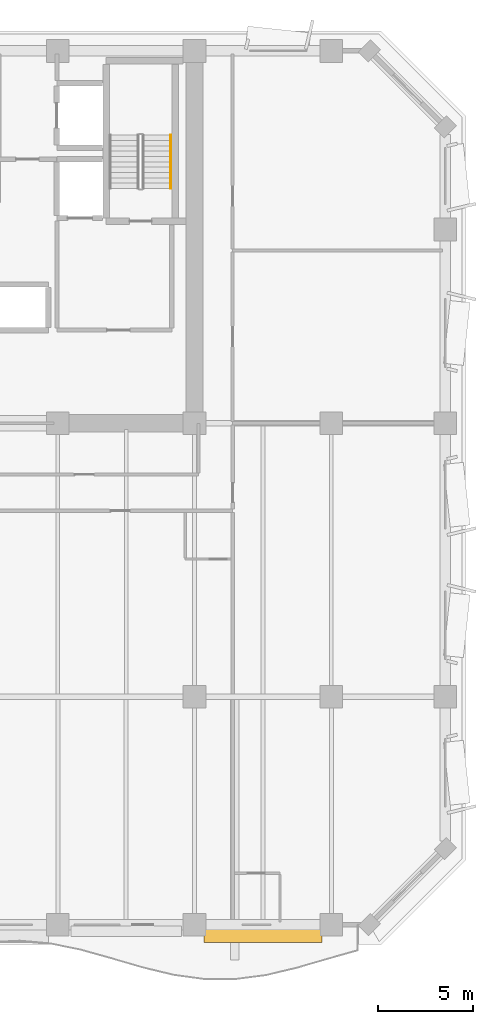
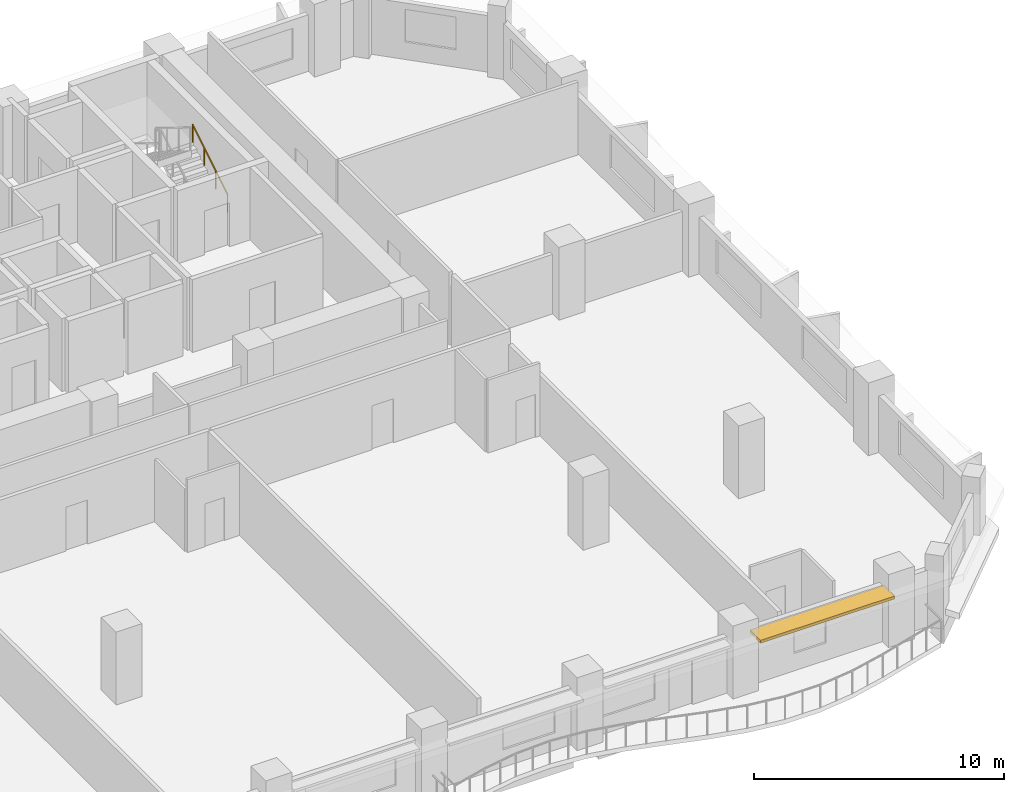
# One storey, part 14 of 14: 1 railing, 1 shading device.
"""IFC4 building model written with IfcOpenShell, lengths in metres."""

from ifc_helpers import new_model, si_unit, direction, frame, origin, origin_2d, place, context, subcontext, project, spatial, rectangle, extrude, material, layer, layer_set, type_object, element, save


model = new_model("IFC4")

# Units and contexts
model_context = context("Model", 3, precision=1e-05, world=origin(), true_north=direction((0.0, 1.0)))
body_context = subcontext(model_context, "Body", "Model", "MODEL_VIEW")
ifc_project = project(units=[si_unit("LENGTHUNIT", "METRE"), si_unit("AREAUNIT", "SQUARE_METRE"), si_unit("VOLUMEUNIT", "CUBIC_METRE"), si_unit("PLANEANGLEUNIT", "RADIAN"), si_unit("MASSUNIT", "GRAM", prefix="KILO")], contexts=[model_context])

# Site, building, storey
site_placement = place(None, origin())
site = spatial("IfcSite", under=ifc_project, at=site_placement, CompositionType="ELEMENT")
building_placement = place(site_placement, origin())
building = spatial("IfcBuilding", under=site, at=building_placement, Name="Kaelvorn Grand Hotel", CompositionType="ELEMENT")
storey_placement = place(building_placement, frame((0.0, 0.0, 216.75)))
storey = spatial("IfcBuildingStorey", under=building, at=storey_placement, Name="L53", CompositionType="ELEMENT", Elevation=216.75)

# Railing
ifc_material_1 = material(Name="Stainless Steel", Category="steel")
railing_type = type_object("IfcRailingType", Name="RL-HANDRAIL-900", PredefinedType="HANDRAIL", material=ifc_material_1)
railing_placement = place(storey_placement, frame((66.550048828125, 41.760009765625, 0.172607421875)))
element("IfcRailing", 1, at=railing_placement, inside=storey, type_object=railing_type, Name="L53 ST3 stair handrail 1", PredefinedType="HANDRAIL", context=body_context, shape_type="SweptSolid", body=[
    extrude(rectangle(XDim=0.048095703125, YDim=0.048095703125, at=origin_2d()), frame((0.0, 0.0, 0.8759765625), z_axis=(0.0, 0.851089632645, 0.525020415988), x_axis=(-1.0, 0.0, 0.0)), (0.0, 0.0, 1.0), 3.2900390625),
    extrude(rectangle(XDim=0.0419921875, YDim=0.0419921875, at=origin_2d()), origin(), (0.0, 0.0, 1.0), 0.851806640625),
    extrude(rectangle(XDim=0.0419921875, YDim=0.0419921875, at=origin_2d()), frame((0.0, 0.933349609375, 0.57568359375)), (0.0, 0.0, 1.0), 0.851806640625),
    extrude(rectangle(XDim=0.0419921875, YDim=0.0419921875, at=origin_2d()), frame((0.0, 1.86669921875, 1.151611328125)), (0.0, 0.0, 1.0), 0.851806640625),
    extrude(rectangle(XDim=0.0419921875, YDim=0.0419921875, at=origin_2d()), frame((0.0, 2.800048828125, 1.727294921875)), (0.0, 0.0, 1.0), 0.851806640625),
])

# Shading device
ifc_material_2 = material(Name="Precast concrete C45/55", Category="concrete")
ifc_layer = layer(ifc_material_2, 0.139892578125)
ifc_layer_set = layer_set([ifc_layer], Name="Precast concrete C45/55")
shading_device_type = type_object("IfcShadingDeviceType", Name="SHD-SUNSHADE-850", PredefinedType="USERDEFINED", material=ifc_layer_set)
shading_device_placement = place(storey_placement, frame((71.39990234375, 2.4951171875, 2.55029296875), z_axis=(0.0, 0.0, 1.0), x_axis=(1.0, 0.0, 0.0)))
element("IfcShadingDevice", 2, at=shading_device_placement, inside=storey, type_object=shading_device_type, Name="L53 Horizontal Concrete Sunshade Band SS-10", ObjectType="SUNSHADE", PredefinedType="USERDEFINED", context=body_context, shape_type="SweptSolid", body=[
    extrude(rectangle(XDim=6.199951171875, YDim=0.85009765625, at=origin_2d()), origin(), (0.0, 0.0, 1.0), 0.139892578125),
])

save(model, "model.ifc")
